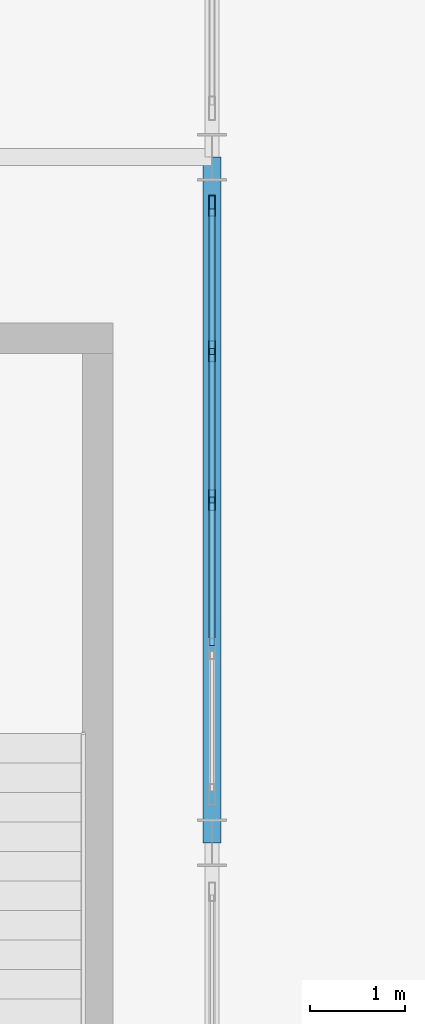
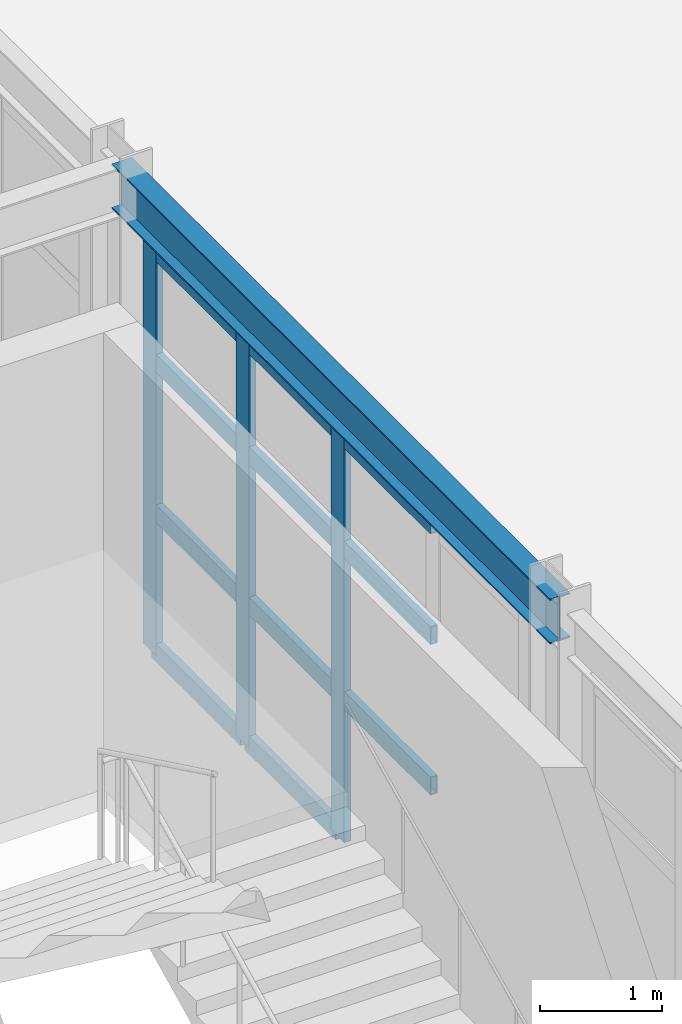
# One storey, part 20 of 83: 14 members, 1 beam, 1 element without a shape of its own.
"""IFC4 building model written with IfcOpenShell, lengths in metres."""

from ifc_helpers import new_model, si_unit, direction, frame, origin, origin_2d, place, context, subcontext, project, spatial, hollow_rectangle, i_section, extrude, material, layer, layer_set, material_profile, profile_set, type_object, element, aggregate, save


model = new_model("IFC4")

# Units and contexts
model_context = context("Model", 3, precision=1e-05, world=origin(), true_north=direction((0.0, 1.0)))
body_context = subcontext(model_context, "Body", "Model", "MODEL_VIEW")
ifc_project = project(units=[si_unit("LENGTHUNIT", "METRE"), si_unit("AREAUNIT", "SQUARE_METRE"), si_unit("VOLUMEUNIT", "CUBIC_METRE"), si_unit("PLANEANGLEUNIT", "RADIAN"), si_unit("MASSUNIT", "GRAM", prefix="KILO")], contexts=[model_context])

# Site, building, storey
site_placement = place(None, origin())
site = spatial("IfcSite", under=ifc_project, at=site_placement, CompositionType="ELEMENT")
building_placement = place(site_placement, origin())
building = spatial("IfcBuilding", under=site, at=building_placement, Name="Solvadek Multi-Sports Hall", CompositionType="ELEMENT")
storey_placement = place(building_placement, origin())
storey = spatial("IfcBuildingStorey", under=building, at=storey_placement, Name="L00", CompositionType="ELEMENT", Elevation=0.0)

# Curtain wall, members
ifc_material_1 = material(Name="Anodised aluminium", Category="aluminium")
ifc_layer = layer(ifc_material_1, 0.159912109375, Name="Anodised aluminium")
ifc_layer_set = layer_set([ifc_layer], Name="Anodised aluminium")
curtain_wall_type = type_object("IfcCurtainWallType", Name="ENV-CW-624X408", PredefinedType="USERDEFINED", material=ifc_layer_set)
curtain_wall_placement = place(storey_placement, origin())
curtain_wall = element("IfcCurtainWall", 1, at=curtain_wall_placement, inside=storey, type_object=curtain_wall_type, Name="L00 Perimeter Bay Curtain Wall #186", ObjectType="CURTAIN WALL", PredefinedType="USERDEFINED")
ifc_material_profile_1 = material_profile(ifc_material_1, hollow_rectangle(XDim=0.06494140625, YDim=0.219970703125, WallThickness=0.0048828125, at=origin_2d()), Name="ALU-M 220x65x5")
ifc_profile_set_1 = profile_set([ifc_material_profile_1], Name="Anodised aluminium")
member_type_1 = type_object("IfcMemberType", Name="ENV-CWM-04", PredefinedType="MULLION", material=ifc_profile_set_1)
member_1_placement = place(storey_placement, frame((21.60009765625, 31.199951171875, 0.0), z_axis=(0.0, 0.0, 1.0), x_axis=(-1.0, 0.0, 0.0)))
member_1 = element("IfcMember", 2, at=member_1_placement, type_object=member_type_1, Name="CW-40 mullion 3", PredefinedType="MULLION", context=body_context, shape_type="SweptSolid", body=[
    extrude(hollow_rectangle(XDim=0.06494140625, YDim=0.219970703125, WallThickness=0.0048828125, at=origin_2d()), origin(), (0.0, 0.0, 1.0), 4.074951171875),
])
member_2_placement = place(storey_placement, frame((21.60009765625, 32.760009765625, 0.0), z_axis=(0.0, 0.0, 1.0), x_axis=(-1.0, 0.0, 0.0)))
member_2 = element("IfcMember", 3, at=member_2_placement, type_object=member_type_1, Name="CW-40 mullion 4", PredefinedType="MULLION", context=body_context, shape_type="SweptSolid", body=[
    extrude(hollow_rectangle(XDim=0.06494140625, YDim=0.219970703125, WallThickness=0.0048828125, at=origin_2d()), origin(), (0.0, 0.0, 1.0), 4.074951171875),
])
member_3_placement = place(storey_placement, frame((21.60009765625, 34.28759765625, 0.0), z_axis=(0.0, 0.0, 1.0), x_axis=(-1.0, 0.0, 0.0)))
member_3 = element("IfcMember", 4, at=member_3_placement, type_object=member_type_1, Name="CW-40 mullion 5", PredefinedType="MULLION", context=body_context, shape_type="SweptSolid", body=[
    extrude(hollow_rectangle(XDim=0.06494140625, YDim=0.219970703125, WallThickness=0.0048828125, at=origin_2d()), origin(), (0.0, 0.0, 1.0), 4.074951171875),
])
ifc_material_profile_2 = material_profile(ifc_material_1, hollow_rectangle(XDim=0.06494140625, YDim=0.179931640625, WallThickness=0.0048828125, at=origin_2d()), Name="ALU-T 180x65x5")
ifc_profile_set_2 = profile_set([ifc_material_profile_2], Name="Anodised aluminium")
member_type_2 = type_object("IfcMemberType", Name="ENV-CWT-04", PredefinedType="USERDEFINED", material=ifc_profile_set_2)
member_4_placement = place(storey_placement, frame((21.60009765625, 29.672607421875, 1.426025390625), z_axis=(0.0, 1.0, 0.0), x_axis=(-1.0, 0.0, 0.0)))
member_4 = element("IfcMember", 5, at=member_4_placement, type_object=member_type_2, Name="CW-40 transom 2.2", ObjectType="TRANSOM", PredefinedType="USERDEFINED", context=body_context, shape_type="SweptSolid", body=[
    extrude(hollow_rectangle(XDim=0.06494140625, YDim=0.179931640625, WallThickness=0.0048828125, at=origin_2d()), origin(), (0.0, 0.0, 1.0), 1.494873046875),
])
member_5_placement = place(storey_placement, frame((21.60009765625, 29.672607421875, 2.93408203125), z_axis=(0.0, 1.0, 0.0), x_axis=(-1.0, 0.0, 0.0)))
member_5 = element("IfcMember", 6, at=member_5_placement, type_object=member_type_2, Name="CW-40 transom 2.3", ObjectType="TRANSOM", PredefinedType="USERDEFINED", context=body_context, shape_type="SweptSolid", body=[
    extrude(hollow_rectangle(XDim=0.06494140625, YDim=0.179931640625, WallThickness=0.0048828125, at=origin_2d()), origin(), (0.0, 0.0, 1.0), 1.494873046875),
])
member_6_placement = place(storey_placement, frame((21.60009765625, 29.672607421875, 4.04248046875), z_axis=(0.0, 1.0, 0.0), x_axis=(-1.0, 0.0, 0.0)))
member_6 = element("IfcMember", 7, at=member_6_placement, type_object=member_type_2, Name="CW-40 transom 2.4", ObjectType="TRANSOM", PredefinedType="USERDEFINED", context=body_context, shape_type="SweptSolid", body=[
    extrude(hollow_rectangle(XDim=0.06494140625, YDim=0.179931640625, WallThickness=0.0048828125, at=origin_2d()), origin(), (0.0, 0.0, 1.0), 1.494873046875),
])
member_7_placement = place(storey_placement, frame((21.60009765625, 31.232421875, 0.032470703125), z_axis=(0.0, 1.0, 0.0), x_axis=(-1.0, 0.0, 0.0)))
member_7 = element("IfcMember", 8, at=member_7_placement, type_object=member_type_2, Name="CW-40 transom 3.1", ObjectType="TRANSOM", PredefinedType="USERDEFINED", context=body_context, shape_type="SweptSolid", body=[
    extrude(hollow_rectangle(XDim=0.06494140625, YDim=0.179931640625, WallThickness=0.0048828125, at=origin_2d()), origin(), (0.0, 0.0, 1.0), 1.4951171875),
])
member_8_placement = place(storey_placement, frame((21.60009765625, 31.232421875, 1.426025390625), z_axis=(0.0, 1.0, 0.0), x_axis=(-1.0, 0.0, 0.0)))
member_8 = element("IfcMember", 9, at=member_8_placement, type_object=member_type_2, Name="CW-40 transom 3.2", ObjectType="TRANSOM", PredefinedType="USERDEFINED", context=body_context, shape_type="SweptSolid", body=[
    extrude(hollow_rectangle(XDim=0.06494140625, YDim=0.179931640625, WallThickness=0.0048828125, at=origin_2d()), origin(), (0.0, 0.0, 1.0), 1.4951171875),
])
member_9_placement = place(storey_placement, frame((21.60009765625, 31.232421875, 2.93408203125), z_axis=(0.0, 1.0, 0.0), x_axis=(-1.0, 0.0, 0.0)))
member_9 = element("IfcMember", 10, at=member_9_placement, type_object=member_type_2, Name="CW-40 transom 3.3", ObjectType="TRANSOM", PredefinedType="USERDEFINED", context=body_context, shape_type="SweptSolid", body=[
    extrude(hollow_rectangle(XDim=0.06494140625, YDim=0.179931640625, WallThickness=0.0048828125, at=origin_2d()), origin(), (0.0, 0.0, 1.0), 1.4951171875),
])
member_10_placement = place(storey_placement, frame((21.60009765625, 31.232421875, 4.04248046875), z_axis=(0.0, 1.0, 0.0), x_axis=(-1.0, 0.0, 0.0)))
member_10 = element("IfcMember", 11, at=member_10_placement, type_object=member_type_2, Name="CW-40 transom 3.4", ObjectType="TRANSOM", PredefinedType="USERDEFINED", context=body_context, shape_type="SweptSolid", body=[
    extrude(hollow_rectangle(XDim=0.06494140625, YDim=0.179931640625, WallThickness=0.0048828125, at=origin_2d()), origin(), (0.0, 0.0, 1.0), 1.4951171875),
])
member_11_placement = place(storey_placement, frame((21.60009765625, 32.79248046875, 0.032470703125), z_axis=(0.0, 1.0, 0.0), x_axis=(-1.0, 0.0, 0.0)))
member_11 = element("IfcMember", 12, at=member_11_placement, type_object=member_type_2, Name="CW-40 transom 4.1", ObjectType="TRANSOM", PredefinedType="USERDEFINED", context=body_context, shape_type="SweptSolid", body=[
    extrude(hollow_rectangle(XDim=0.06494140625, YDim=0.179931640625, WallThickness=0.0048828125, at=origin_2d()), origin(), (0.0, 0.0, 1.0), 1.46240234375),
])
member_12_placement = place(storey_placement, frame((21.60009765625, 32.79248046875, 1.426025390625), z_axis=(0.0, 1.0, 0.0), x_axis=(-1.0, 0.0, 0.0)))
member_12 = element("IfcMember", 13, at=member_12_placement, type_object=member_type_2, Name="CW-40 transom 4.2", ObjectType="TRANSOM", PredefinedType="USERDEFINED", context=body_context, shape_type="SweptSolid", body=[
    extrude(hollow_rectangle(XDim=0.06494140625, YDim=0.179931640625, WallThickness=0.0048828125, at=origin_2d()), origin(), (0.0, 0.0, 1.0), 1.46240234375),
])
member_13_placement = place(storey_placement, frame((21.60009765625, 32.79248046875, 2.93408203125), z_axis=(0.0, 1.0, 0.0), x_axis=(-1.0, 0.0, 0.0)))
member_13 = element("IfcMember", 14, at=member_13_placement, type_object=member_type_2, Name="CW-40 transom 4.3", ObjectType="TRANSOM", PredefinedType="USERDEFINED", context=body_context, shape_type="SweptSolid", body=[
    extrude(hollow_rectangle(XDim=0.06494140625, YDim=0.179931640625, WallThickness=0.0048828125, at=origin_2d()), origin(), (0.0, 0.0, 1.0), 1.46240234375),
])
member_14_placement = place(storey_placement, frame((21.60009765625, 32.79248046875, 4.04248046875), z_axis=(0.0, 1.0, 0.0), x_axis=(-1.0, 0.0, 0.0)))
member_14 = element("IfcMember", 15, at=member_14_placement, type_object=member_type_2, Name="CW-40 transom 4.4", ObjectType="TRANSOM", PredefinedType="USERDEFINED", context=body_context, shape_type="SweptSolid", body=[
    extrude(hollow_rectangle(XDim=0.06494140625, YDim=0.179931640625, WallThickness=0.0048828125, at=origin_2d()), origin(), (0.0, 0.0, 1.0), 1.46240234375),
])
aggregate(curtain_wall, [member_1, member_2, member_3, member_4, member_5, member_6, member_7, member_8, member_9, member_10, member_11, member_12, member_13, member_14])

# Beam
ifc_material_2 = material(Name="Steel E350 (350 MPa)", Category="steel")
ifc_material_profile_3 = material_profile(ifc_material_2, i_section(OverallWidth=0.18994140625, OverallDepth=0.449951171875, WebThickness=0.009521484375, FlangeThickness=0.0146484375, at=origin_2d()), Name="NPB 450")
ifc_profile_set_3 = profile_set([ifc_material_profile_3], Name="Steel E350 (350 MPa)")
beam_type = type_object("IfcBeamType", Name="STR-BM-NPB450", PredefinedType="BEAM", material=ifc_profile_set_3)
beam_placement = place(storey_placement, frame((21.60009765625, 27.60009765625, 4.35498046875), z_axis=(0.0, 1.0, 0.0), x_axis=(-1.0, 0.0, 0.0)))
element("IfcBeam", 16, at=beam_placement, inside=storey, type_object=beam_type, Name="L00 Girder B-08 #764", PredefinedType="BEAM", context=body_context, shape_type="SweptSolid", body=[
    extrude(i_section(OverallWidth=0.18994140625, OverallDepth=0.449951171875, WebThickness=0.009521484375, FlangeThickness=0.0146484375, at=origin_2d()), origin(), (0.0, 0.0, 1.0), 7.199951171875),
])

save(model, "model.ifc")
